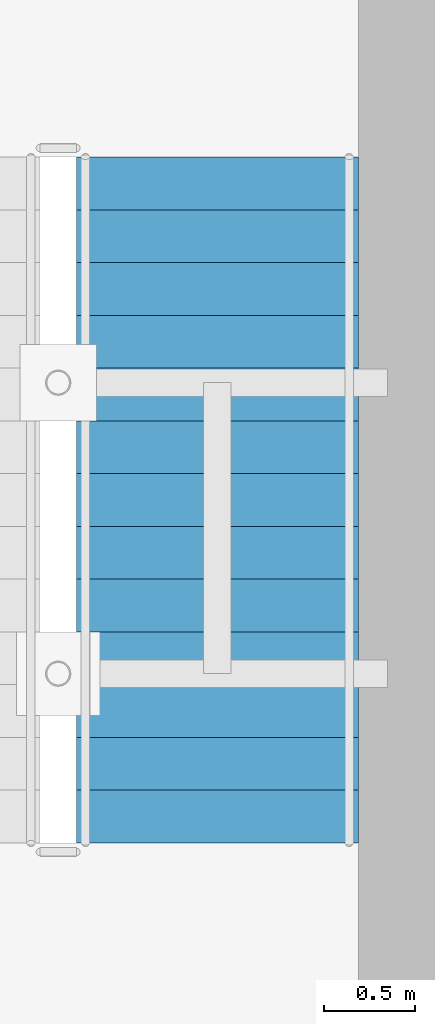
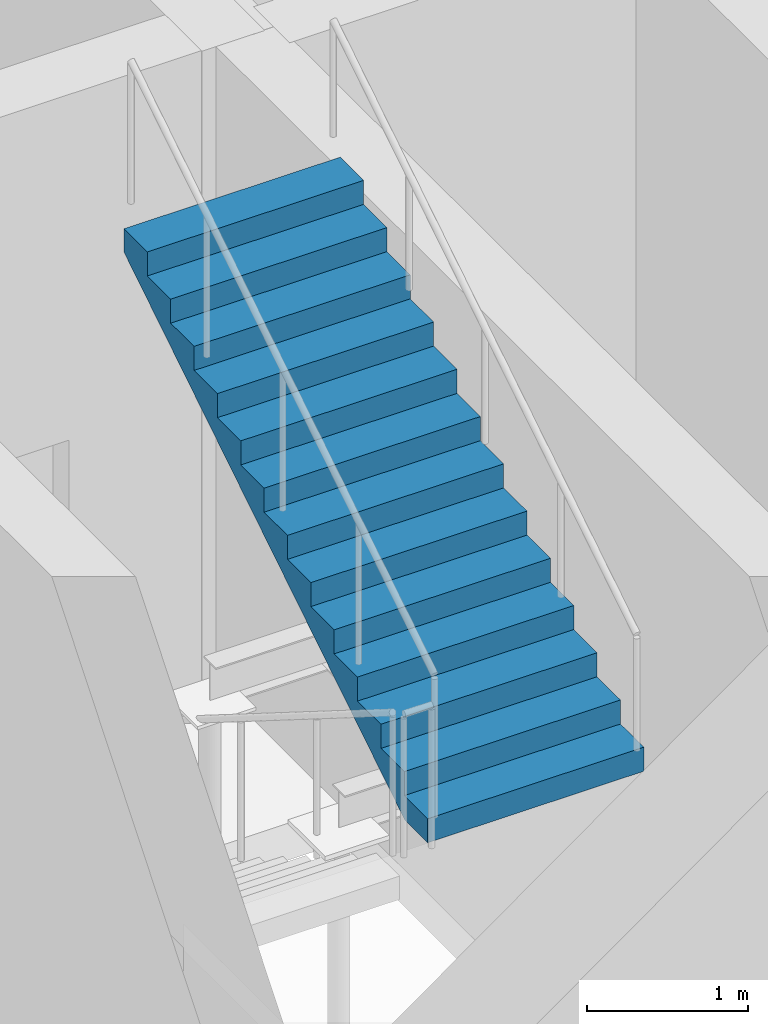
# One storey, part 99 of 106: 1 stair flight, 1 element without a shape of its own.
"""IFC4 building model written with IfcOpenShell, lengths in metres."""

import ifcopenshell
import ifcopenshell.guid

model = None  # the IFC model being written
_history = None  # IfcOwnerHistory: only IFC2X3 demands one
_inside = {}  # id of a spatial element -> (the spatial element, [elements in it])
_under = {}  # id of a project, library or spatial element -> (it, [spatial elements below it])
_declared = {}  # id of a project -> (the project, [libraries it declares])
_typed = {}  # id of a type object -> (the type object, [elements of that type])
_made_of = {}  # id of a material, layer set ... -> (it, [elements and type objects made of it])


def new_model(schema):
    """Start an empty IFC model of exactly this schema.

    Asked for "IFC4X3", IfcOpenShell would pick the latest addendum, in which some entities
    have other attributes; the version numbers below select the first issue.
    IFC2X3 requires an IfcOwnerHistory on every rooted entity: one is made here for all.
    """
    global model, _history
    if schema == "IFC4X3":
        model = ifcopenshell.file(schema_version=(4, 3, 0, 0))
    else:
        model = ifcopenshell.file(schema=schema)
    _inside.clear()
    _under.clear()
    _declared.clear()
    _typed.clear()
    _made_of.clear()
    _history = None
    if model.schema == "IFC2X3":
        org = make("IfcOrganization", Name="unknown")
        user = make(
            "IfcPersonAndOrganization",
            ThePerson=make("IfcPerson", FamilyName="unknown"),
            TheOrganization=org,
        )
        app = make(
            "IfcApplication",
            ApplicationDeveloper=org,
            Version="unknown",
            ApplicationFullName="unknown",
            ApplicationIdentifier="unknown",
        )
        _history = make(
            "IfcOwnerHistory",
            OwningUser=user,
            OwningApplication=app,
            ChangeAction="ADDED",
            CreationDate=0,
        )
    return model


def make(cls, **values):
    """One entity of the class cls with the attributes given. An attribute that is None is left unset."""
    return model.create_entity(
        cls, **{name: value for name, value in values.items() if value is not None}
    )


def rooted(cls, **values):
    """An entity with a GlobalId (a new one), such as an element, a storey or a relation."""
    return make(cls, GlobalId=ifcopenshell.guid.new(), OwnerHistory=_history, **values)


def si_unit(unit_type, name, prefix=None):
    """IfcSIUnit, for example si_unit("LENGTHUNIT", "METRE", prefix="MILLI")."""
    return make("IfcSIUnit", UnitType=unit_type, Prefix=prefix, Name=name)


def assignment(units):
    """IfcUnitAssignment: the units of a project."""
    return None if units is None else make("IfcUnitAssignment", Units=units)


def point(xyz):
    """IfcCartesianPoint."""
    return None if xyz is None else make("IfcCartesianPoint", Coordinates=xyz)


def direction(xyz):
    """IfcDirection."""
    return None if xyz is None else make("IfcDirection", DirectionRatios=xyz)


def frame(location, z_axis=None, x_axis=None):
    """IfcAxis2Placement3D, a coordinate frame: its origin and axes. An axis left out is left unset."""
    return make(
        "IfcAxis2Placement3D",
        Location=point(location),
        Axis=direction(z_axis),
        RefDirection=direction(x_axis),
    )


def origin():
    """The frame at (0, 0, 0) with its axes left unset."""
    return frame((0.0, 0.0, 0.0))


def place(relative_to, where):
    """IfcLocalPlacement: puts the frame where relative to a parent placement (None: the world)."""
    return make(
        "IfcLocalPlacement", PlacementRelTo=relative_to, RelativePlacement=where
    )


def context(
    kind, dimensions, precision=None, world=None, true_north=None, identifier=None
):
    """IfcGeometricRepresentationContext, for example the 3D "Model" context."""
    return make(
        "IfcGeometricRepresentationContext",
        ContextIdentifier=identifier,
        ContextType=kind,
        CoordinateSpaceDimension=dimensions,
        Precision=precision,
        WorldCoordinateSystem=world,
        TrueNorth=true_north,
    )


def subcontext(parent, identifier, kind, view, scale=None):
    """IfcGeometricRepresentationSubContext, for example "Body" below "Model"."""
    return make(
        "IfcGeometricRepresentationSubContext",
        ContextIdentifier=identifier,
        ContextType=kind,
        ParentContext=parent,
        TargetScale=scale,
        TargetView=view,
    )


def project(units=None, contexts=None):
    """IfcProject with its units and contexts."""
    return rooted(
        "IfcProject",
        Name="project",
        RepresentationContexts=contexts,
        UnitsInContext=assignment(units),
    )


def spatial(cls, under=None, at=None, **own):
    """A site, building, storey or space (cls), placed at a placement, below another one or the project."""
    s = rooted(cls, ObjectPlacement=at, **own)
    if under is not None:
        _under.setdefault(under.id(), (under, []))[1].append(s)
    return s


def polyline(points):
    """IfcPolyline through the points."""
    return make("IfcPolyline", Points=[point(p) for p in points])


def outline(outer, holes=None, kind="AREA"):
    """IfcArbitraryClosedProfileDef: a profile drawn as a closed curve; with holes, ...WithVoids."""
    if holes is None:
        return make("IfcArbitraryClosedProfileDef", ProfileType=kind, OuterCurve=outer)
    return make(
        "IfcArbitraryProfileDefWithVoids",
        ProfileType=kind,
        OuterCurve=outer,
        InnerCurves=holes,
    )


def extrude(swept, where, along, depth):
    """IfcExtrudedAreaSolid: the profile swept, set in the frame where, extruded along a direction by depth."""
    return make(
        "IfcExtrudedAreaSolid",
        SweptArea=swept,
        Position=where,
        ExtrudedDirection=direction(along),
        Depth=depth,
    )


def shape(context_of_items, identifier, shape_type, items):
    """IfcShapeRepresentation: the items that make up one representation, for example the "Body"."""
    return make(
        "IfcShapeRepresentation",
        ContextOfItems=context_of_items,
        RepresentationIdentifier=identifier,
        RepresentationType=shape_type,
        Items=items,
    )


def material(Name=None, Category=None):
    """IfcMaterial."""
    return make("IfcMaterial", Name=Name, Category=Category)


def made_of(thing, what):
    """Note that an element or type object is made of a material, layer set ...; save() writes the relation."""
    if what is not None:
        _made_of.setdefault(what.id(), (what, []))[1].append(thing)
    return thing


def type_object(cls, material=None, **own):
    """A type object (cls), such as IfcWallType, which elements share."""
    return made_of(rooted(cls, **own), material)


def element(
    cls,
    number,
    at=None,
    inside=None,
    cuts=None,
    type_object=None,
    material=None,
    context=None,
    identifier="Body",
    shape_type=None,
    held_by="IfcProductDefinitionShape",
    body=None,
    shapes=None,
    **own,
):
    """One element of the class cls, such as IfcWall. Its Tag is "e" and its number.

    at: its placement. inside: the storey or other place that contains it. cuts: it is an
    opening in that element (IfcRelVoidsElement). A single representation is given by context,
    identifier, shape_type and body (its items); several are given by shapes. held_by: the class
    of the entity that holds the representations. save() writes the other relations.
    """
    e = rooted(cls, Tag="e%d" % number, ObjectPlacement=at, **own)
    if body is not None:
        shapes = [shape(context, identifier, shape_type, body)]
    if shapes is not None:
        e.Representation = make(held_by, Representations=shapes)
    if inside is not None:
        _inside.setdefault(inside.id(), (inside, []))[1].append(e)
    if cuts is not None:
        rooted(
            "IfcRelVoidsElement", RelatingBuildingElement=cuts, RelatedOpeningElement=e
        )
    if type_object is not None:
        _typed.setdefault(type_object.id(), (type_object, []))[1].append(e)
    return made_of(e, material)


def aggregate(whole, parts):
    """IfcRelAggregates: a whole, such as a stair, and the parts it consists of."""
    return rooted("IfcRelAggregates", RelatingObject=whole, RelatedObjects=parts)


def save(model, path):
    """Write the relations noted so far, then the file.

    IfcRelAggregates (storeys below a building ...), IfcRelContainedInSpatialStructure (elements
    in a storey), IfcRelDefinesByType, IfcRelAssociatesMaterial and IfcRelDeclares: one each for
    every whole, place, type object, material and project.
    """
    for whole, parts in _under.values():
        aggregate(whole, parts)
    for where, things in _inside.values():
        rooted(
            "IfcRelContainedInSpatialStructure",
            RelatedElements=things,
            RelatingStructure=where,
        )
    for kind, things in _typed.values():
        rooted("IfcRelDefinesByType", RelatedObjects=things, RelatingType=kind)
    for what, things in _made_of.values():
        rooted("IfcRelAssociatesMaterial", RelatedObjects=things, RelatingMaterial=what)
    for by, libraries in _declared.values():
        rooted("IfcRelDeclares", RelatingContext=by, RelatedDefinitions=libraries)
    model.write(path)


model = new_model("IFC4")

# Units and contexts
model_context = context("Model", 3, precision=1e-05, world=origin(), true_north=direction((0.0, 1.0)))
body_context = subcontext(model_context, "Body", "Model", "MODEL_VIEW")
ifc_project = project(units=[si_unit("LENGTHUNIT", "METRE"), si_unit("AREAUNIT", "SQUARE_METRE"), si_unit("VOLUMEUNIT", "CUBIC_METRE"), si_unit("PLANEANGLEUNIT", "RADIAN"), si_unit("MASSUNIT", "GRAM", prefix="KILO")], contexts=[model_context])

# Site, building, storey
site_placement = place(None, origin())
site = spatial("IfcSite", under=ifc_project, at=site_placement, CompositionType="ELEMENT")
building_placement = place(site_placement, origin())
building = spatial("IfcBuilding", under=site, at=building_placement, Name="Krzemoval Escarpment Law Courts", CompositionType="ELEMENT")
storey_placement = place(building_placement, frame((0.0, 0.0, 5.10009765625)))
storey = spatial("IfcBuildingStorey", under=building, at=storey_placement, Name="L01", CompositionType="ELEMENT", Elevation=5.10009765625)

# Stair, stair flight
ifc_material_1 = material(Name="Concrete C40/50", Category="concrete")
stair_type = type_object("IfcStairType", Name="STR-CORE-1550", PredefinedType="HALF_TURN_STAIR", material=ifc_material_1)
stair_placement = place(storey_placement, origin())
stair = element("IfcStair", 1, at=stair_placement, inside=storey, type_object=stair_type, Name="L01 ST3", PredefinedType="HALF_TURN_STAIR")
ifc_material_2 = material(Name="Concrete C40/50", Category="concrete")
stair_flight_type = type_object("IfcStairFlightType", Name="STF-CORE-1550", PredefinedType="STRAIGHT", material=ifc_material_2)
stair_flight_placement = place(storey_placement, frame((146.425048828125, 97.929931640625, 2.5498046875), z_axis=(0.0, 0.0, 1.0), x_axis=(0.0, 1.0, 0.0)))
stair_flight = element("IfcStairFlight", 2, at=stair_flight_placement, type_object=stair_flight_type, Name="ST3 flight 2", NumberOfRisers=14, NumberOfTreads=13, PredefinedType="STRAIGHT", RiserHeight=0.182142857, TreadLength=0.29, context=body_context, shape_type="SweptSolid", body=[
    extrude(outline(polyline([(0.0, 0.0), (0.0, 0.18212890625), (0.2900390625, 0.18212890625), (0.2900390625, 0.3642578125), (0.580078125, 0.3642578125), (0.580078125, 0.54638671875), (0.8701171875, 0.54638671875), (0.8701171875, 0.728515625), (1.159912109375, 0.728515625), (1.159912109375, 0.91064453125), (1.449951171875, 0.91064453125), (1.449951171875, 1.0927734375), (1.739990234375, 1.0927734375), (1.739990234375, 1.27490234375), (2.030029296875, 1.27490234375), (2.030029296875, 1.45703125), (2.320068359375, 1.45703125), (2.320068359375, 1.639404296875), (2.610107421875, 1.639404296875), (2.610107421875, 1.821533203125), (2.89990234375, 1.821533203125), (2.89990234375, 2.003662109375), (3.18994140625, 2.003662109375), (3.18994140625, 2.185791015625), (3.47998046875, 2.185791015625), (3.47998046875, 2.367919921875), (3.77001953125, 2.367919921875), (3.77001953125, 2.550048828125), (3.77001953125, 2.19091796875), (0.28173828125, 0.0), (0.0, 0.0)])), frame((0.0, 0.77490234375, 0.0), z_axis=(0.0, -1.0, 0.0), x_axis=(1.0, 0.0, 0.0)), (0.0, 0.0, 1.0), 1.550048828125),
])
aggregate(stair, [stair_flight])

save(model, "model.ifc")
